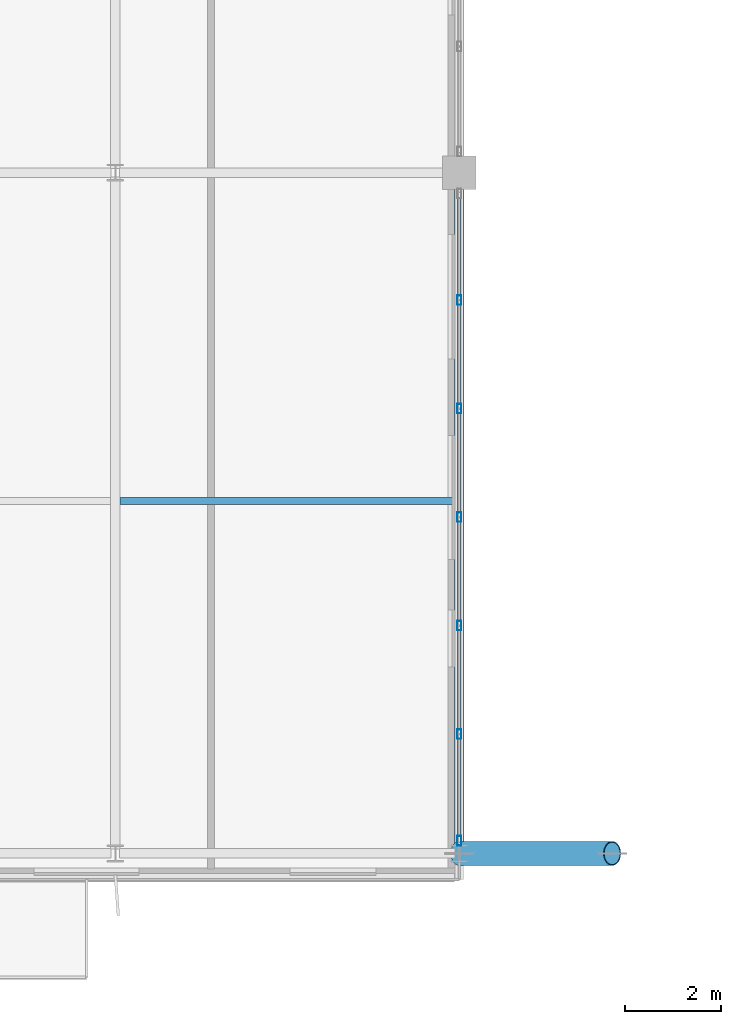
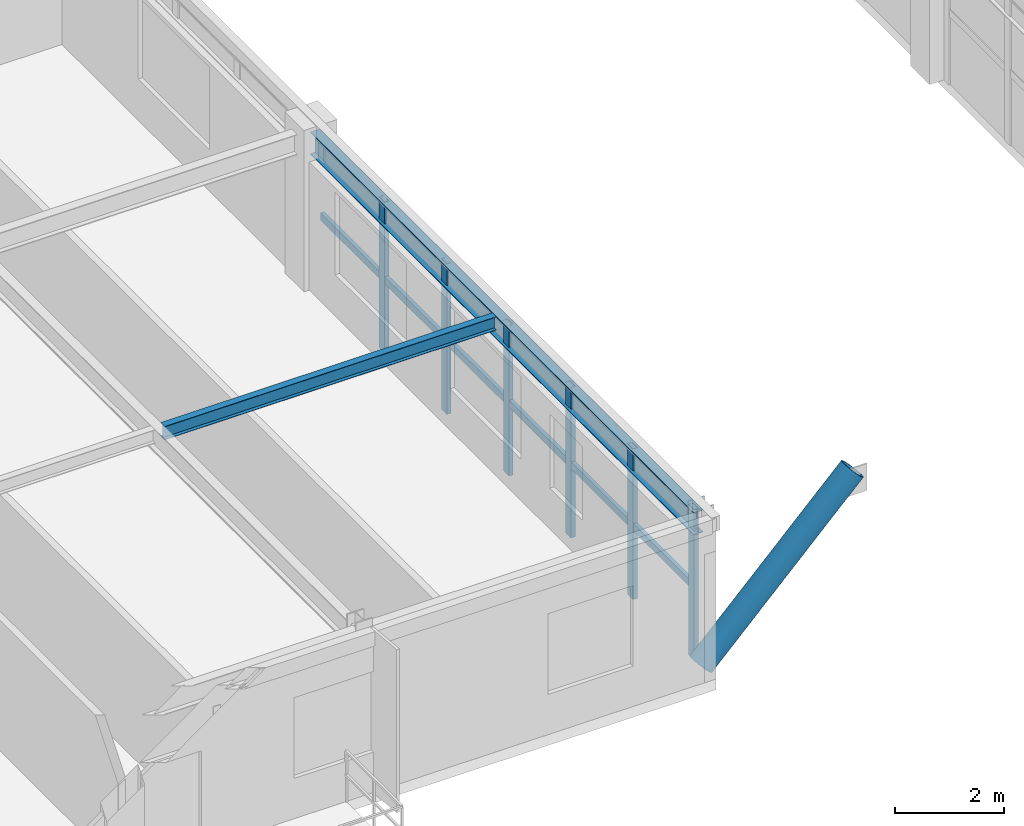
# One storey, part 6 of 35: 13 members, 2 beams, 1 element without a shape of its own.
"""IFC4 building model written with IfcOpenShell, lengths in metres."""

from ifc_helpers import new_model, si_unit, direction, frame, origin, origin_2d, place, context, subcontext, project, spatial, hollow_rectangle, hollow_circle, i_section, extrude, source, transform, mapped, material, material_profile, profile_set, type_object, element, aggregate, save


model = new_model("IFC4")

# Units and contexts
model_context = context("Model", 3, precision=1e-05, world=origin(), true_north=direction((0.0, 1.0)))
body_context = subcontext(model_context, "Body", "Model", "MODEL_VIEW")
ifc_project = project(units=[si_unit("LENGTHUNIT", "METRE"), si_unit("AREAUNIT", "SQUARE_METRE"), si_unit("VOLUMEUNIT", "CUBIC_METRE"), si_unit("PLANEANGLEUNIT", "RADIAN"), si_unit("MASSUNIT", "GRAM", prefix="KILO")], contexts=[model_context])

# Site, building, storey
site_placement = place(None, origin())
site = spatial("IfcSite", under=ifc_project, at=site_placement, CompositionType="ELEMENT")
building_placement = place(site_placement, origin())
building = spatial("IfcBuilding", under=site, at=building_placement, Name="Trelvane Seafront Commons", CompositionType="ELEMENT")
storey_placement = place(building_placement, frame((0.0, 0.0, 194.10009765625)))
storey = spatial("IfcBuildingStorey", under=building, at=storey_placement, Name="L50", CompositionType="ELEMENT", Elevation=194.10009765625)

# Beams
ifc_material_1 = material(Name="Steel SM355 (S355)", Category="steel")
ifc_material_profile_1 = material_profile(ifc_material_1, i_section(OverallWidth=0.199951171875, OverallDepth=0.5, WebThickness=0.010009765625, FlangeThickness=0.01611328125, at=origin_2d()), Name="H-500x200x10x16")
ifc_profile_set_1 = profile_set([ifc_material_profile_1], Name="Steel SM355 (S355)")
beam_type_1 = type_object("IfcBeamType", Name="STR-BM-H500", PredefinedType="BEAM", material=ifc_profile_set_1)
shared_shape_1 = source(origin(), body_context, "Body", "SweptSolid", [
    extrude(i_section(OverallWidth=0.199951171875, OverallDepth=0.5, WebThickness=0.010009765625, FlangeThickness=0.01611328125, at=origin_2d()), origin(), (0.0, 0.0, 1.0), 14.012451171875),
])
beam_1_placement = place(storey_placement, frame((30.60009765625, 4.03759765625, 3.10986328125), z_axis=(0.0, 1.0, 0.0), x_axis=(-1.0, 0.0, 0.0)))
element("IfcBeam", 1, at=beam_1_placement, inside=storey, type_object=beam_type_1, Name="L50 Primary Girder G-38", PredefinedType="BEAM", context=body_context, shape_type="MappedRepresentation", body=[
    mapped(shared_shape_1, transform((0.0, 0.0, 0.0), x_axis=(1.0, 0.0, 0.0), y_axis=(0.0, 1.0, 0.0), z_axis=(0.0, 0.0, 1.0), scale=1.0)),
])
ifc_material_profile_2 = material_profile(ifc_material_1, i_section(OverallWidth=0.14990234375, OverallDepth=0.300048828125, WebThickness=0.006591796875, FlangeThickness=0.009033203125, at=origin_2d()), Name="H-300x150x6.5x9")
ifc_profile_set_2 = profile_set([ifc_material_profile_2], Name="Steel SM355 (S355)")
beam_type_2 = type_object("IfcBeamType", Name="STR-JST-H300", PredefinedType="JOIST", material=ifc_profile_set_2)
shared_shape_2 = source(origin(), body_context, "Body", "SweptSolid", [
    extrude(i_section(OverallWidth=0.14990234375, OverallDepth=0.300048828125, WebThickness=0.006591796875, FlangeThickness=0.009033203125, at=origin_2d()), origin(), (0.0, 0.0, 1.0), 7.0),
])
beam_2_placement = place(storey_placement, frame((23.5, 11.324951171875, 3.2099609375), z_axis=(1.0, 0.0, 0.0), x_axis=(0.0, 1.0, 0.0)))
element("IfcBeam", 2, at=beam_2_placement, inside=storey, type_object=beam_type_2, Name="L50 Secondary Floor Joist B-55", PredefinedType="JOIST", context=body_context, shape_type="MappedRepresentation", body=[
    mapped(shared_shape_2, transform((0.0, 0.0, 0.0), x_axis=(1.0, 0.0, 0.0), y_axis=(0.0, 1.0, 0.0), z_axis=(0.0, 0.0, 1.0), scale=1.0)),
])

# Member
ifc_material_profile_3 = material_profile(ifc_material_1, hollow_circle(Radius=0.25390625, WallThickness=0.02001953125, at=origin_2d()), Name="CHS-508x20")
ifc_profile_set_3 = profile_set([ifc_material_profile_3], Name="Steel SM355 (S355)")
member_type_1 = type_object("IfcMemberType", Name="STR-STR-CHS508", PredefinedType="STRUT", material=ifc_profile_set_3)
shared_shape_3 = source(origin(), body_context, "Body", "SweptSolid", [
    extrude(hollow_circle(Radius=0.25390625, WallThickness=0.02001953125, at=origin_2d()), origin(), (0.0, 0.0, 1.0), 4.5537109375),
])
member_1_placement = place(storey_placement, frame((30.60009765625, 3.949951171875, 0.0), z_axis=(0.702696903382, 0.0, 0.711489326679), x_axis=(0.0, 1.0, 0.0)))
element("IfcMember", 3, at=member_1_placement, inside=storey, type_object=member_type_1, Name="L50 Void-Portal V-Frame Strut VS-SW", PredefinedType="STRUT", context=body_context, shape_type="MappedRepresentation", body=[
    mapped(shared_shape_3, transform((0.0, 0.0, 0.0), x_axis=(1.0, 0.0, 0.0), y_axis=(0.0, 1.0, 0.0), z_axis=(0.0, 0.0, 1.0), scale=1.0)),
])

# Curtain wall, members
ifc_material_2 = material(Name="Anodised pale-silver aluminium", Category="aluminium")
curtain_wall_type = type_object("IfcCurtainWallType", Name="ARCH-CW3-PORTAL", PredefinedType="NOTDEFINED", material=ifc_material_2)
curtain_wall_placement = place(storey_placement, origin())
curtain_wall = element("IfcCurtainWall", 4, at=curtain_wall_placement, inside=storey, type_object=curtain_wall_type, Name="CW-L50-VP-0079", PredefinedType="NOTDEFINED")
ifc_material_profile_4 = material_profile(ifc_material_2, hollow_rectangle(XDim=0.090087890625, YDim=0.199951171875, WallThickness=0.0048828125, at=origin_2d()), Name="MULL-90x200x5")
ifc_profile_set_4 = profile_set([ifc_material_profile_4], Name="Anodised pale-silver aluminium")
member_type_2 = type_object("IfcMemberType", Name="ARCH-CW-MULL-200", PredefinedType="MULLION", material=ifc_profile_set_4)
shared_shape_4 = source(origin(), body_context, "Body", "SweptSolid", [
    extrude(hollow_rectangle(XDim=0.090087890625, YDim=0.199951171875, WallThickness=0.0048828125, at=origin_2d()), origin(), (0.0, 0.0, 1.0), 3.35986328125),
])
member_2_placement = place(storey_placement, frame((30.60009765625, 4.215087890625, 0.0), z_axis=(0.0, 0.0, 1.0), x_axis=(1.0, 0.0, 0.0)))
member_2 = element("IfcMember", 5, at=member_2_placement, type_object=member_type_2, Name="CW-L50-VP-0079-M00", PredefinedType="MULLION", context=body_context, shape_type="MappedRepresentation", body=[
    mapped(shared_shape_4, transform((0.0, 0.0, 0.0), x_axis=(1.0, 0.0, 0.0), y_axis=(0.0, 1.0, 0.0), z_axis=(0.0, 0.0, 1.0), scale=1.0)),
])
member_3_placement = place(storey_placement, frame((30.60009765625, 6.44580078125, 0.0), z_axis=(0.0, 0.0, 1.0), x_axis=(1.0, 0.0, 0.0)))
member_3 = element("IfcMember", 6, at=member_3_placement, type_object=member_type_2, Name="CW-L50-VP-0079-M01", PredefinedType="MULLION", context=body_context, shape_type="MappedRepresentation", body=[
    mapped(shared_shape_4, transform((0.0, 0.0, 0.0), x_axis=(1.0, 0.0, 0.0), y_axis=(0.0, 1.0, 0.0), z_axis=(0.0, 0.0, 1.0), scale=1.0)),
])
member_4_placement = place(storey_placement, frame((30.60009765625, 8.716796875, 0.0), z_axis=(0.0, 0.0, 1.0), x_axis=(1.0, 0.0, 0.0)))
member_4 = element("IfcMember", 7, at=member_4_placement, type_object=member_type_2, Name="CW-L50-VP-0079-M02", PredefinedType="MULLION", context=body_context, shape_type="MappedRepresentation", body=[
    mapped(shared_shape_4, transform((0.0, 0.0, 0.0), x_axis=(1.0, 0.0, 0.0), y_axis=(0.0, 1.0, 0.0), z_axis=(0.0, 0.0, 1.0), scale=1.0)),
])
member_5_placement = place(storey_placement, frame((30.60009765625, 10.987548828125, 0.0), z_axis=(0.0, 0.0, 1.0), x_axis=(1.0, 0.0, 0.0)))
member_5 = element("IfcMember", 8, at=member_5_placement, type_object=member_type_2, Name="CW-L50-VP-0079-M03", PredefinedType="MULLION", context=body_context, shape_type="MappedRepresentation", body=[
    mapped(shared_shape_4, transform((0.0, 0.0, 0.0), x_axis=(1.0, 0.0, 0.0), y_axis=(0.0, 1.0, 0.0), z_axis=(0.0, 0.0, 1.0), scale=1.0)),
])
member_6_placement = place(storey_placement, frame((30.60009765625, 13.25830078125, 0.0), z_axis=(0.0, 0.0, 1.0), x_axis=(1.0, 0.0, 0.0)))
member_6 = element("IfcMember", 9, at=member_6_placement, type_object=member_type_2, Name="CW-L50-VP-0079-M04", PredefinedType="MULLION", context=body_context, shape_type="MappedRepresentation", body=[
    mapped(shared_shape_4, transform((0.0, 0.0, 0.0), x_axis=(1.0, 0.0, 0.0), y_axis=(0.0, 1.0, 0.0), z_axis=(0.0, 0.0, 1.0), scale=1.0)),
])
member_7_placement = place(storey_placement, frame((30.60009765625, 15.529296875, 0.0), z_axis=(0.0, 0.0, 1.0), x_axis=(1.0, 0.0, 0.0)))
member_7 = element("IfcMember", 10, at=member_7_placement, type_object=member_type_2, Name="CW-L50-VP-0079-M05", PredefinedType="MULLION", context=body_context, shape_type="MappedRepresentation", body=[
    mapped(shared_shape_4, transform((0.0, 0.0, 0.0), x_axis=(1.0, 0.0, 0.0), y_axis=(0.0, 1.0, 0.0), z_axis=(0.0, 0.0, 1.0), scale=1.0)),
])
ifc_material_profile_5 = material_profile(ifc_material_2, hollow_rectangle(XDim=0.080078125, YDim=0.159912109375, WallThickness=0.00439453125, at=origin_2d()), Name="TRAN-80x160x4.5")
ifc_profile_set_5 = profile_set([ifc_material_profile_5], Name="Anodised pale-silver aluminium")
member_type_3 = type_object("IfcMemberType", Name="ARCH-CW-TRAN-160", PredefinedType="USERDEFINED", material=ifc_profile_set_5)
shared_shape_5 = source(origin(), body_context, "Body", "SweptSolid", [
    extrude(hollow_rectangle(XDim=0.080078125, YDim=0.159912109375, WallThickness=0.00439453125, at=origin_2d()), origin(), (0.0, 0.0, 1.0), 2.246826171875),
])
member_8_placement = place(storey_placement, frame((30.60009765625, 4.18701171875, 1.61279296875), z_axis=(0.0, 1.0, 0.0), x_axis=(-1.0, 0.0, 0.0)))
member_8 = element("IfcMember", 11, at=member_8_placement, type_object=member_type_3, Name="CW-L50-VP-0079-T00", ObjectType="TRANSOM", PredefinedType="USERDEFINED", context=body_context, shape_type="MappedRepresentation", body=[
    mapped(shared_shape_5, transform((0.0, 0.0, 0.0), x_axis=(1.0, 0.0, 0.0), y_axis=(0.0, 1.0, 0.0), z_axis=(0.0, 0.0, 1.0), scale=1.0)),
])
member_9_placement = place(storey_placement, frame((30.60009765625, 6.457763671875, 1.61279296875), z_axis=(0.0, 1.0, 0.0), x_axis=(-1.0, 0.0, 0.0)))
member_9 = element("IfcMember", 12, at=member_9_placement, type_object=member_type_3, Name="CW-L50-VP-0079-T01", ObjectType="TRANSOM", PredefinedType="USERDEFINED", context=body_context, shape_type="MappedRepresentation", body=[
    mapped(shared_shape_5, transform((0.0, 0.0, 0.0), x_axis=(1.0, 0.0, 0.0), y_axis=(0.0, 1.0, 0.0), z_axis=(0.0, 0.0, 1.0), scale=1.0)),
])
member_10_placement = place(storey_placement, frame((30.60009765625, 8.728759765625, 1.61279296875), z_axis=(0.0, 1.0, 0.0), x_axis=(-1.0, 0.0, 0.0)))
member_10 = element("IfcMember", 13, at=member_10_placement, type_object=member_type_3, Name="CW-L50-VP-0079-T02", ObjectType="TRANSOM", PredefinedType="USERDEFINED", context=body_context, shape_type="MappedRepresentation", body=[
    mapped(shared_shape_5, transform((0.0, 0.0, 0.0), x_axis=(1.0, 0.0, 0.0), y_axis=(0.0, 1.0, 0.0), z_axis=(0.0, 0.0, 1.0), scale=1.0)),
])
member_11_placement = place(storey_placement, frame((30.60009765625, 10.99951171875, 1.61279296875), z_axis=(0.0, 1.0, 0.0), x_axis=(-1.0, 0.0, 0.0)))
member_11 = element("IfcMember", 14, at=member_11_placement, type_object=member_type_3, Name="CW-L50-VP-0079-T03", ObjectType="TRANSOM", PredefinedType="USERDEFINED", context=body_context, shape_type="MappedRepresentation", body=[
    mapped(shared_shape_5, transform((0.0, 0.0, 0.0), x_axis=(1.0, 0.0, 0.0), y_axis=(0.0, 1.0, 0.0), z_axis=(0.0, 0.0, 1.0), scale=1.0)),
])
member_12_placement = place(storey_placement, frame((30.60009765625, 13.270263671875, 1.61279296875), z_axis=(0.0, 1.0, 0.0), x_axis=(-1.0, 0.0, 0.0)))
member_12 = element("IfcMember", 15, at=member_12_placement, type_object=member_type_3, Name="CW-L50-VP-0079-T04", ObjectType="TRANSOM", PredefinedType="USERDEFINED", context=body_context, shape_type="MappedRepresentation", body=[
    mapped(shared_shape_5, transform((0.0, 0.0, 0.0), x_axis=(1.0, 0.0, 0.0), y_axis=(0.0, 1.0, 0.0), z_axis=(0.0, 0.0, 1.0), scale=1.0)),
])
member_13_placement = place(storey_placement, frame((30.60009765625, 15.541259765625, 1.61279296875), z_axis=(0.0, 1.0, 0.0), x_axis=(-1.0, 0.0, 0.0)))
member_13 = element("IfcMember", 16, at=member_13_placement, type_object=member_type_3, Name="CW-L50-VP-0079-T05", ObjectType="TRANSOM", PredefinedType="USERDEFINED", context=body_context, shape_type="MappedRepresentation", body=[
    mapped(shared_shape_5, transform((0.0, 0.0, 0.0), x_axis=(1.0, 0.0, 0.0), y_axis=(0.0, 1.0, 0.0), z_axis=(0.0, 0.0, 1.0), scale=1.0)),
])
aggregate(curtain_wall, [member_2, member_3, member_4, member_5, member_6, member_7, member_8, member_9, member_10, member_11, member_12, member_13])

save(model, "model.ifc")
